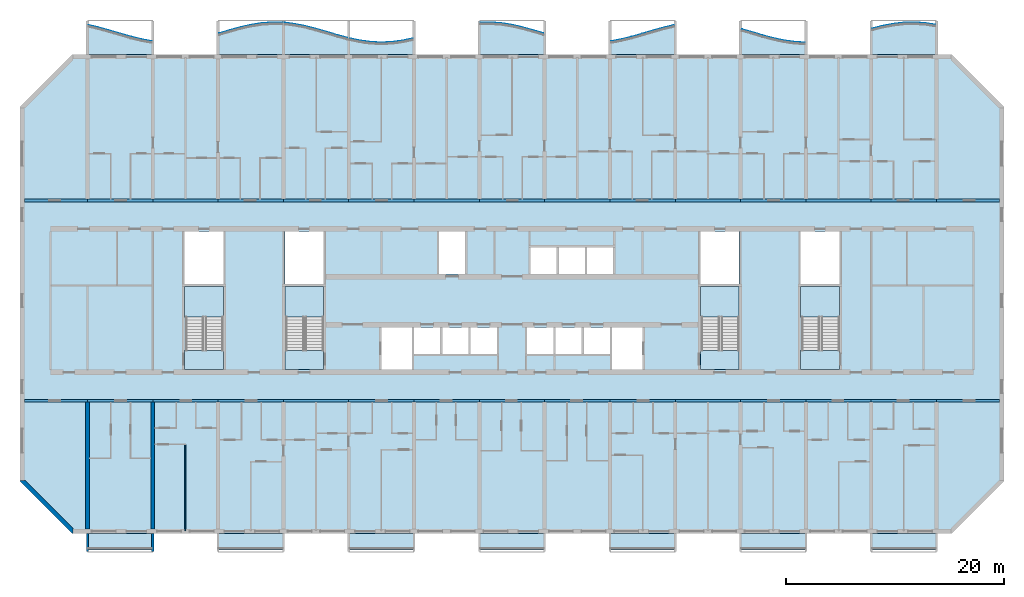
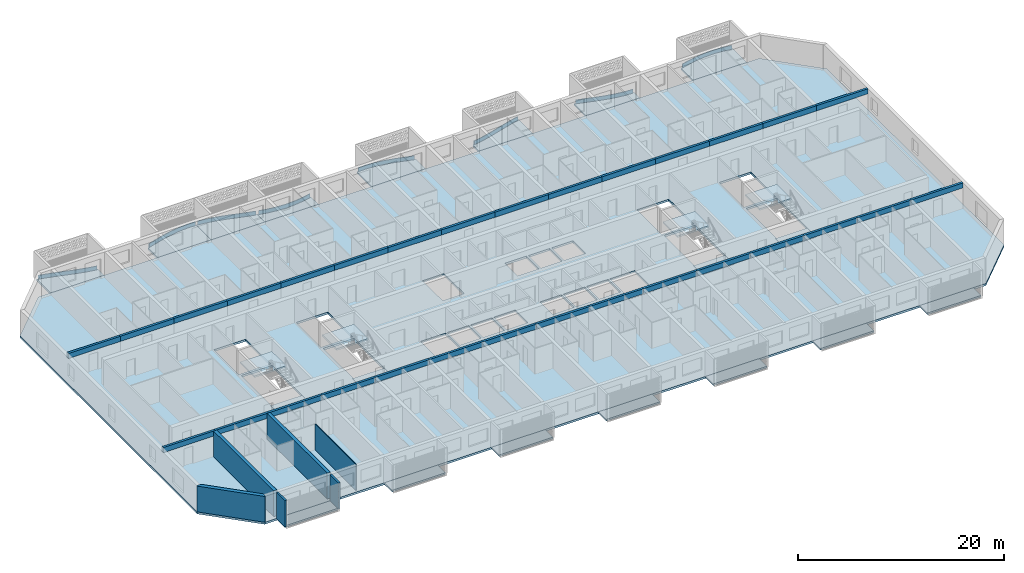
# One storey, part 1 of 31: 30 beams, 24 slabs, 8 plates, 6 walls, 4 elements without a shape of their own.
"""IFC4 building model written with IfcOpenShell, lengths in metres."""

from ifc_helpers import new_model, si_unit, direction, frame, frame_2d, origin, origin_2d, place, context, subcontext, project, spatial, polyline, rectangle, outline, extrude, source, transform, mapped, material, layer, layer_set, material_profile, profile_set, type_object, element, aggregate, save


model = new_model("IFC4")

# Units and contexts
model_context = context("Model", 3, precision=1e-05, world=origin(), true_north=direction((0.0, 1.0)))
body_context = subcontext(model_context, "Body", "Model", "MODEL_VIEW")
ifc_project = project(units=[si_unit("LENGTHUNIT", "METRE"), si_unit("AREAUNIT", "SQUARE_METRE"), si_unit("VOLUMEUNIT", "CUBIC_METRE"), si_unit("PLANEANGLEUNIT", "RADIAN"), si_unit("MASSUNIT", "GRAM", prefix="KILO")], contexts=[model_context])

# Site, building, storey
site_placement = place(None, origin())
site = spatial("IfcSite", under=ifc_project, at=site_placement, CompositionType="ELEMENT")
building_placement = place(site_placement, origin())
building = spatial("IfcBuilding", under=site, at=building_placement, Name="Poui Terraces", CompositionType="ELEMENT")
storey_placement = place(building_placement, frame((0.0, 0.0, 82.800048828125)))
storey = spatial("IfcBuildingStorey", under=building, at=storey_placement, Name="L22", CompositionType="ELEMENT", Elevation=82.800048828125)

# Beams
ifc_material_1 = material(Name="Concrete 65 MPa", Category="concrete")
ifc_material_profile = material_profile(ifc_material_1, rectangle(XDim=0.25, YDim=0.60009765625, at=origin_2d()), Name="RC 250x600")
ifc_profile_set = profile_set([ifc_material_profile], Name="Concrete 65 MPa")
beam_type = type_object("IfcBeamType", Name="COUPLING BEAM 250x600 65MPa", PredefinedType="BEAM", material=ifc_profile_set)
shared_shape_1 = source(origin(), body_context, "Body", "SweptSolid", [
    extrude(rectangle(XDim=0.25, YDim=0.60009765625, at=origin_2d()), origin(), (0.0, 0.0, 1.0), 5.800048828125),
])
for number, where, z_axis, x_axis, name in (
    (1, (6.199951171875, 12.0, 2.760009765625), (1.0, 0.0, 0.0), (0.0, 1.0, 0.0), "COUPLING BEAM LINE B BAY 1"),
    (2, (90.0, 12.0, 2.760009765625), (1.0, 0.0, 0.0), (0.0, 1.0, 0.0), "COUPLING BEAM LINE B BAY 15"),
    (3, (6.199951171875, 30.39990234375, 2.760009765625), (1.0, 0.0, 0.0), (0.0, 1.0, 0.0), "COUPLING BEAM LINE E BAY 1"),
    (4, (90.0, 30.39990234375, 2.760009765625), (1.0, 0.0, 0.0), (0.0, 1.0, 0.0), "COUPLING BEAM LINE E BAY 15"),
):
    element("IfcBeam", number, at=place(storey_placement, frame(where, z_axis=z_axis, x_axis=x_axis)), inside=storey, type_object=beam_type, Name=name, PredefinedType="BEAM", context=body_context, shape_type="MappedRepresentation", body=[
        mapped(shared_shape_1, transform((0.0, 0.0, 0.0))),
    ])
shared_shape_2 = source(origin(), body_context, "Body", "SweptSolid", [
    extrude(rectangle(XDim=0.25, YDim=0.60009765625, at=origin_2d()), origin(), (0.0, 0.0, 1.0), 6.0),
])
for number, where, z_axis, x_axis, name in (
    (5, (12.0, 12.0, 2.760009765625), (1.0, 0.0, 0.0), (0.0, 1.0, 0.0), "COUPLING BEAM LINE B BAY 2"),
    (6, (18.0, 12.0, 2.760009765625), (1.0, 0.0, 0.0), (0.0, 1.0, 0.0), "COUPLING BEAM LINE B BAY 3"),
    (7, (24.0, 12.0, 2.760009765625), (1.0, 0.0, 0.0), (0.0, 1.0, 0.0), "COUPLING BEAM LINE B BAY 4"),
    (8, (30.0, 12.0, 2.760009765625), (1.0, 0.0, 0.0), (0.0, 1.0, 0.0), "COUPLING BEAM LINE B BAY 5"),
    (9, (36.0, 12.0, 2.760009765625), (1.0, 0.0, 0.0), (0.0, 1.0, 0.0), "COUPLING BEAM LINE B BAY 6"),
    (10, (42.0, 12.0, 2.760009765625), (1.0, 0.0, 0.0), (0.0, 1.0, 0.0), "COUPLING BEAM LINE B BAY 7"),
    (11, (48.0, 12.0, 2.760009765625), (1.0, 0.0, 0.0), (0.0, 1.0, 0.0), "COUPLING BEAM LINE B BAY 8"),
    (12, (54.0, 12.0, 2.760009765625), (1.0, 0.0, 0.0), (0.0, 1.0, 0.0), "COUPLING BEAM LINE B BAY 9"),
    (13, (60.0, 12.0, 2.760009765625), (1.0, 0.0, 0.0), (0.0, 1.0, 0.0), "COUPLING BEAM LINE B BAY 10"),
    (14, (66.0, 12.0, 2.760009765625), (1.0, 0.0, 0.0), (0.0, 1.0, 0.0), "COUPLING BEAM LINE B BAY 11"),
    (15, (72.0, 12.0, 2.760009765625), (1.0, 0.0, 0.0), (0.0, 1.0, 0.0), "COUPLING BEAM LINE B BAY 12"),
    (16, (78.0, 12.0, 2.760009765625), (1.0, 0.0, 0.0), (0.0, 1.0, 0.0), "COUPLING BEAM LINE B BAY 13"),
    (17, (84.0, 12.0, 2.760009765625), (1.0, 0.0, 0.0), (0.0, 1.0, 0.0), "COUPLING BEAM LINE B BAY 14"),
    (18, (12.0, 30.39990234375, 2.760009765625), (1.0, 0.0, 0.0), (0.0, 1.0, 0.0), "COUPLING BEAM LINE E BAY 2"),
    (19, (18.0, 30.39990234375, 2.760009765625), (1.0, 0.0, 0.0), (0.0, 1.0, 0.0), "COUPLING BEAM LINE E BAY 3"),
    (20, (24.0, 30.39990234375, 2.760009765625), (1.0, 0.0, 0.0), (0.0, 1.0, 0.0), "COUPLING BEAM LINE E BAY 4"),
    (21, (30.0, 30.39990234375, 2.760009765625), (1.0, 0.0, 0.0), (0.0, 1.0, 0.0), "COUPLING BEAM LINE E BAY 5"),
    (22, (36.0, 30.39990234375, 2.760009765625), (1.0, 0.0, 0.0), (0.0, 1.0, 0.0), "COUPLING BEAM LINE E BAY 6"),
    (23, (42.0, 30.39990234375, 2.760009765625), (1.0, 0.0, 0.0), (0.0, 1.0, 0.0), "COUPLING BEAM LINE E BAY 7"),
    (24, (48.0, 30.39990234375, 2.760009765625), (1.0, 0.0, 0.0), (0.0, 1.0, 0.0), "COUPLING BEAM LINE E BAY 8"),
    (25, (54.0, 30.39990234375, 2.760009765625), (1.0, 0.0, 0.0), (0.0, 1.0, 0.0), "COUPLING BEAM LINE E BAY 9"),
    (26, (60.0, 30.39990234375, 2.760009765625), (1.0, 0.0, 0.0), (0.0, 1.0, 0.0), "COUPLING BEAM LINE E BAY 10"),
    (27, (66.0, 30.39990234375, 2.760009765625), (1.0, 0.0, 0.0), (0.0, 1.0, 0.0), "COUPLING BEAM LINE E BAY 11"),
    (28, (72.0, 30.39990234375, 2.760009765625), (1.0, 0.0, 0.0), (0.0, 1.0, 0.0), "COUPLING BEAM LINE E BAY 12"),
    (29, (78.0, 30.39990234375, 2.760009765625), (1.0, 0.0, 0.0), (0.0, 1.0, 0.0), "COUPLING BEAM LINE E BAY 13"),
    (30, (84.0, 30.39990234375, 2.760009765625), (1.0, 0.0, 0.0), (0.0, 1.0, 0.0), "COUPLING BEAM LINE E BAY 14"),
):
    element("IfcBeam", number, at=place(storey_placement, frame(where, z_axis=z_axis, x_axis=x_axis)), inside=storey, type_object=beam_type, Name=name, PredefinedType="BEAM", context=body_context, shape_type="MappedRepresentation", body=[
        mapped(shared_shape_2, transform((0.0, 0.0, 0.0))),
    ])

# Slabs
ifc_material_2 = material(Name="Precast concrete 40 MPa", Category="concrete")
ifc_layer_1 = layer(ifc_material_2, 0.199951171875)
ifc_layer_set_1 = layer_set([ifc_layer_1], Name="Precast concrete 40 MPa")
slab_type_1 = type_object("IfcSlabType", Name="BALCONY SLAB 200", PredefinedType="FLOOR", material=ifc_layer_set_1)
slab_1_placement = place(storey_placement, frame((0.0, 0.0, -0.2001953125)))
element("IfcSlab", 31, at=slab_1_placement, inside=storey, type_object=slab_type_1, Name="BALCONY SLAB", PredefinedType="FLOOR", context=body_context, shape_type="SweptSolid", body=[
    extrude(outline(polyline([(12.0, 43.800048828125), (18.0, 43.800048828125), (18.0, 45.006103515625), (17.0, 45.18408203125), (16.0, 45.428466796875), (15.0, 45.71337890625), (14.0, 46.010009765625), (13.0, 46.28759765625), (12.0, 46.517333984375), (12.0, 43.800048828125)])), origin(), (0.0, 0.0, 1.0), 0.2001953125),
])
slab_2_placement = place(storey_placement, frame((0.0, 0.0, -0.2001953125)))
element("IfcSlab", 32, at=slab_2_placement, inside=storey, type_object=slab_type_1, Name="BALCONY SLAB", PredefinedType="FLOOR", context=body_context, shape_type="SweptSolid", body=[
    extrude(outline(polyline([(24.0, 43.800048828125), (30.0, 43.800048828125), (30.0, 46.72314453125), (29.0, 46.7470703125), (28.0, 46.676025390625), (27.0, 46.517333984375), (26.0, 46.28759765625), (25.0, 46.010009765625), (24.0, 45.71337890625), (24.0, 43.800048828125)])), origin(), (0.0, 0.0, 1.0), 0.2001953125),
])
slab_3_placement = place(storey_placement, frame((0.0, 0.0, -0.2001953125)))
element("IfcSlab", 33, at=slab_3_placement, inside=storey, type_object=slab_type_1, Name="BALCONY SLAB", PredefinedType="FLOOR", context=body_context, shape_type="SweptSolid", body=[
    extrude(outline(polyline([(30.0, 43.800048828125), (36.0, 43.800048828125), (36.0, 45.299560546875), (35.0, 45.567626953125), (34.0, 45.8623046875), (33.0, 46.153076171875), (32.0, 46.409912109375), (31.0, 46.606689453125), (30.0, 46.72314453125), (30.0, 43.800048828125)])), origin(), (0.0, 0.0, 1.0), 0.2001953125),
])
slab_4_placement = place(storey_placement, frame((0.0, 0.0, -0.2001953125)))
element("IfcSlab", 34, at=slab_4_placement, inside=storey, type_object=slab_type_1, Name="BALCONY SLAB", PredefinedType="FLOOR", context=body_context, shape_type="SweptSolid", body=[
    extrude(outline(polyline([(36.0, 43.800048828125), (42.0, 43.800048828125), (42.0, 45.299560546875), (41.0, 45.08544921875), (40.0, 44.947509765625), (39.0, 44.89990234375), (38.0, 44.947509765625), (37.0, 45.08544921875), (36.0, 45.299560546875), (36.0, 43.800048828125)])), origin(), (0.0, 0.0, 1.0), 0.2001953125),
])
slab_5_placement = place(storey_placement, frame((0.0, 0.0, -0.2001953125)))
element("IfcSlab", 35, at=slab_5_placement, inside=storey, type_object=slab_type_1, Name="BALCONY SLAB", PredefinedType="FLOOR", context=body_context, shape_type="SweptSolid", body=[
    extrude(outline(polyline([(48.0, 43.800048828125), (54.0, 43.800048828125), (54.0, 45.71337890625), (53.0, 46.010009765625), (52.0, 46.28759765625), (51.0, 46.517333984375), (50.0, 46.676025390625), (49.0, 46.7470703125), (48.0, 46.72314453125), (48.0, 43.800048828125)])), origin(), (0.0, 0.0, 1.0), 0.2001953125),
])
slab_6_placement = place(storey_placement, frame((0.0, 0.0, -0.2001953125)))
element("IfcSlab", 36, at=slab_6_placement, inside=storey, type_object=slab_type_1, Name="BALCONY SLAB", PredefinedType="FLOOR", context=body_context, shape_type="SweptSolid", body=[
    extrude(outline(polyline([(60.0, 43.800048828125), (66.0, 43.800048828125), (66.0, 46.517333984375), (65.0, 46.28759765625), (64.0, 46.010009765625), (63.0, 45.71337890625), (62.0, 45.428466796875), (61.0, 45.18408203125), (60.0, 45.006103515625), (60.0, 43.800048828125)])), origin(), (0.0, 0.0, 1.0), 0.2001953125),
])
slab_7_placement = place(storey_placement, frame((0.0, 0.0, -0.2001953125)))
element("IfcSlab", 37, at=slab_7_placement, inside=storey, type_object=slab_type_1, Name="BALCONY SLAB", PredefinedType="FLOOR", context=body_context, shape_type="SweptSolid", body=[
    extrude(outline(polyline([(72.0, 43.800048828125), (78.0, 43.800048828125), (78.0, 44.89990234375), (77.0, 44.947509765625), (76.0, 45.08544921875), (75.0, 45.299560546875), (74.0, 45.567626953125), (73.0, 45.8623046875), (72.0, 46.153076171875), (72.0, 43.800048828125)])), origin(), (0.0, 0.0, 1.0), 0.2001953125),
])
slab_8_placement = place(storey_placement, frame((0.0, 0.0, -0.2001953125)))
element("IfcSlab", 38, at=slab_8_placement, inside=storey, type_object=slab_type_1, Name="BALCONY SLAB", PredefinedType="FLOOR", context=body_context, shape_type="SweptSolid", body=[
    extrude(outline(polyline([(84.0, 43.800048828125), (90.0, 43.800048828125), (90.0, 46.517333984375), (89.0, 46.676025390625), (88.0, 46.7470703125), (87.0, 46.72314453125), (86.0, 46.606689453125), (85.0, 46.409912109375), (84.0, 46.153076171875), (84.0, 43.800048828125)])), origin(), (0.0, 0.0, 1.0), 0.2001953125),
])

# Stair, slabs
stair_type = type_object("IfcStairType", Name="EXIT STAIR 1650 65 MPA", PredefinedType="HALF_TURN_STAIR", material=ifc_material_1)
stair_1_placement = place(storey_placement, origin())
stair_1 = element("IfcStair", 39, at=stair_1_placement, inside=storey, type_object=stair_type, Name="L22 CORE STAIR EAST", PredefinedType="HALF_TURN_STAIR")
ifc_layer_2 = layer(ifc_material_1, 0.199951171875)
ifc_layer_set_2 = layer_set([ifc_layer_2], Name="Concrete 65 MPa")
slab_type_2 = type_object("IfcSlabType", Name="STAIR LANDING 200 65 MPA", PredefinedType="LANDING", material=ifc_layer_set_2)
slab_9_placement = place(storey_placement, frame((0.0, 0.0, 1.449951171875)))
slab_9 = element("IfcSlab", 40, at=slab_9_placement, type_object=slab_type_2, Name="ST-CE landing 1", PredefinedType="LANDING", context=body_context, shape_type="SweptSolid", body=[
    extrude(outline(polyline([(68.324951171875, 19.679931640625), (71.875, 19.679931640625), (71.875, 22.47509765625), (68.324951171875, 22.47509765625), (68.324951171875, 19.679931640625)])), origin(), (0.0, 0.0, 1.0), 0.199951171875),
])
slab_10_placement = place(storey_placement, frame((0.0, 0.0, -0.2001953125)))
slab_10 = element("IfcSlab", 41, at=slab_10_placement, type_object=slab_type_2, Name="ST-CE landing 2", PredefinedType="LANDING", context=body_context, shape_type="SweptSolid", body=[
    extrude(outline(polyline([(68.324951171875, 14.85009765625), (71.875, 14.85009765625), (71.875, 16.60009765625), (68.324951171875, 16.60009765625), (68.324951171875, 14.85009765625)])), origin(), (0.0, 0.0, 1.0), 0.2001953125),
])
aggregate(stair_1, [slab_9, slab_10])

stair_2_placement = place(storey_placement, origin())
stair_2 = element("IfcStair", 42, at=stair_2_placement, inside=storey, type_object=stair_type, Name="L22 CORE STAIR WEST", PredefinedType="HALF_TURN_STAIR")
slab_11_placement = place(storey_placement, frame((0.0, 0.0, 1.449951171875)))
slab_11 = element("IfcSlab", 43, at=slab_11_placement, type_object=slab_type_2, Name="ST-CW landing 1", PredefinedType="LANDING", context=body_context, shape_type="SweptSolid", body=[
    extrude(outline(polyline([(30.125, 19.679931640625), (33.675048828125, 19.679931640625), (33.675048828125, 22.47509765625), (30.125, 22.47509765625), (30.125, 19.679931640625)])), origin(), (0.0, 0.0, 1.0), 0.199951171875),
])
slab_12_placement = place(storey_placement, frame((0.0, 0.0, -0.2001953125)))
slab_12 = element("IfcSlab", 44, at=slab_12_placement, type_object=slab_type_2, Name="ST-CW landing 2", PredefinedType="LANDING", context=body_context, shape_type="SweptSolid", body=[
    extrude(outline(polyline([(30.125, 14.85009765625), (33.675048828125, 14.85009765625), (33.675048828125, 16.60009765625), (30.125, 16.60009765625), (30.125, 14.85009765625)])), origin(), (0.0, 0.0, 1.0), 0.2001953125),
])
aggregate(stair_2, [slab_11, slab_12])

stair_3_placement = place(storey_placement, origin())
stair_3 = element("IfcStair", 45, at=stair_3_placement, inside=storey, type_object=stair_type, Name="L22 TIP STAIR EAST", PredefinedType="HALF_TURN_STAIR")
slab_13_placement = place(storey_placement, frame((0.0, 0.0, 1.449951171875)))
slab_13 = element("IfcSlab", 46, at=slab_13_placement, type_object=slab_type_2, Name="ST-E landing 1", PredefinedType="LANDING", context=body_context, shape_type="SweptSolid", body=[
    extrude(outline(polyline([(77.52490234375, 19.679931640625), (81.074951171875, 19.679931640625), (81.074951171875, 22.47509765625), (77.52490234375, 22.47509765625), (77.52490234375, 19.679931640625)])), origin(), (0.0, 0.0, 1.0), 0.199951171875),
])
slab_14_placement = place(storey_placement, frame((0.0, 0.0, -0.2001953125)))
slab_14 = element("IfcSlab", 47, at=slab_14_placement, type_object=slab_type_2, Name="ST-E landing 2", PredefinedType="LANDING", context=body_context, shape_type="SweptSolid", body=[
    extrude(outline(polyline([(77.52490234375, 14.85009765625), (81.074951171875, 14.85009765625), (81.074951171875, 16.60009765625), (77.52490234375, 16.60009765625), (77.52490234375, 14.85009765625)])), origin(), (0.0, 0.0, 1.0), 0.2001953125),
])
aggregate(stair_3, [slab_13, slab_14])

stair_4_placement = place(storey_placement, origin())
stair_4 = element("IfcStair", 48, at=stair_4_placement, inside=storey, type_object=stair_type, Name="L22 TIP STAIR WEST", PredefinedType="HALF_TURN_STAIR")
slab_15_placement = place(storey_placement, frame((0.0, 0.0, 1.449951171875)))
slab_15 = element("IfcSlab", 49, at=slab_15_placement, type_object=slab_type_2, Name="ST-W landing 1", PredefinedType="LANDING", context=body_context, shape_type="SweptSolid", body=[
    extrude(outline(polyline([(20.925048828125, 19.679931640625), (24.47509765625, 19.679931640625), (24.47509765625, 22.47509765625), (20.925048828125, 22.47509765625), (20.925048828125, 19.679931640625)])), origin(), (0.0, 0.0, 1.0), 0.199951171875),
])
slab_16_placement = place(storey_placement, frame((0.0, 0.0, -0.2001953125)))
slab_16 = element("IfcSlab", 50, at=slab_16_placement, type_object=slab_type_2, Name="ST-W landing 2", PredefinedType="LANDING", context=body_context, shape_type="SweptSolid", body=[
    extrude(outline(polyline([(20.925048828125, 14.85009765625), (24.47509765625, 14.85009765625), (24.47509765625, 16.60009765625), (20.925048828125, 16.60009765625), (20.925048828125, 14.85009765625)])), origin(), (0.0, 0.0, 1.0), 0.2001953125),
])
aggregate(stair_4, [slab_15, slab_16])

# Plates
ifc_layer_3 = layer(ifc_material_2, 0.080078125)
ifc_layer_set_3 = layer_set([ifc_layer_3], Name="Precast concrete 40 MPa")
plate_type = type_object("IfcPlateType", Name="SUNSHADE UPSTAND 80", PredefinedType="SHEET", material=ifc_layer_set_3)
plate_1_placement = place(storey_placement, origin())
element("IfcPlate", 51, at=plate_1_placement, inside=storey, type_object=plate_type, Name="SUNSHADE UPSTAND", PredefinedType="SHEET", context=body_context, shape_type="SweptSolid", body=[
    extrude(outline(polyline([(13.010009765625, 46.28125), (12.134033203125, 46.486083984375), (12.115966796875, 46.408203125), (12.989990234375, 46.20361328125), (13.989013671875, 45.926513671875), (14.98876953125, 45.630126953125), (15.98974609375, 45.3447265625), (16.99169921875, 45.10009765625), (17.867919921875, 44.939697265625), (17.882080078125, 45.018310546875), (17.00830078125, 45.178466796875), (16.01025390625, 45.422119140625), (15.01123046875, 45.706787109375), (14.010986328125, 46.00341796875), (13.010009765625, 46.28125)])), origin(), (0.0, 0.0, 1.0), 0.449951171875),
])
plate_2_placement = place(storey_placement, origin())
element("IfcPlate", 52, at=plate_2_placement, inside=storey, type_object=plate_type, Name="SUNSHADE UPSTAND", PredefinedType="SHEET", context=body_context, shape_type="SweptSolid", body=[
    extrude(outline(polyline([(24.989013671875, 46.00341796875), (24.113525390625, 45.743896484375), (24.136474609375, 45.667236328125), (25.010986328125, 45.926513671875), (26.009765625, 46.20361328125), (27.007568359375, 46.43310546875), (28.004638671875, 46.59130859375), (29.001220703125, 46.662109375), (29.874267578125, 46.646240234375), (29.875732421875, 46.72607421875), (29.840087890625, 46.726806640625), (28.998779296875, 46.741943359375), (27.995361328125, 46.6708984375), (26.992431640625, 46.51171875), (25.990234375, 46.28125), (24.989013671875, 46.00341796875)])), origin(), (0.0, 0.0, 1.0), 0.449951171875),
])
plate_3_placement = place(storey_placement, origin())
element("IfcPlate", 53, at=plate_3_placement, inside=storey, type_object=plate_type, Name="SUNSHADE UPSTAND", PredefinedType="SHEET", context=body_context, shape_type="SweptSolid", body=[
    extrude(outline(polyline([(31.00634765625, 46.601318359375), (30.15966796875, 46.70458984375), (30.1298828125, 46.7080078125), (30.1201171875, 46.62890625), (30.99365234375, 46.522216796875), (31.9912109375, 46.325927734375), (32.989501953125, 46.0693359375), (33.98876953125, 45.77880859375), (34.989013671875, 45.484130859375), (35.864501953125, 45.2470703125), (35.885498046875, 45.32421875), (35.010986328125, 45.56103515625), (34.01123046875, 45.855712890625), (33.010498046875, 46.146484375), (32.0087890625, 46.404052734375), (31.00634765625, 46.601318359375)])), origin(), (0.0, 0.0, 1.0), 0.449951171875),
])
plate_4_placement = place(storey_placement, origin())
element("IfcPlate", 54, at=plate_4_placement, inside=storey, type_object=plate_type, Name="SUNSHADE UPSTAND", PredefinedType="SHEET", context=body_context, shape_type="SweptSolid", body=[
    extrude(outline(polyline([(37.0068359375, 45.079833984375), (36.13330078125, 45.263427734375), (36.11669921875, 45.185302734375), (36.9931640625, 45.001220703125), (37.996337890625, 44.86279296875), (39.0, 44.81494140625), (40.003662109375, 44.86279296875), (41.0068359375, 45.001220703125), (41.88330078125, 45.185302734375), (41.86669921875, 45.263427734375), (40.9931640625, 45.079833984375), (39.996337890625, 44.9423828125), (39.0, 44.89501953125), (38.003662109375, 44.9423828125), (37.0068359375, 45.079833984375)])), origin(), (0.0, 0.0, 1.0), 0.449951171875),
])
plate_5_placement = place(storey_placement, origin())
element("IfcPlate", 55, at=plate_5_placement, inside=storey, type_object=plate_type, Name="SUNSHADE UPSTAND", PredefinedType="SHEET", context=body_context, shape_type="SweptSolid", body=[
    extrude(outline(polyline([(49.001220703125, 46.741943359375), (48.159912109375, 46.726806640625), (48.124267578125, 46.72607421875), (48.125732421875, 46.646240234375), (48.998779296875, 46.662109375), (49.995361328125, 46.59130859375), (50.992431640625, 46.43310546875), (51.990234375, 46.20361328125), (52.989013671875, 45.926513671875), (53.863525390625, 45.667236328125), (53.886474609375, 45.743896484375), (53.010986328125, 46.00341796875), (52.009765625, 46.28125), (51.007568359375, 46.51171875), (50.004638671875, 46.6708984375), (49.001220703125, 46.741943359375)])), origin(), (0.0, 0.0, 1.0), 0.449951171875),
])
plate_6_placement = place(storey_placement, origin())
element("IfcPlate", 56, at=plate_6_placement, inside=storey, type_object=plate_type, Name="SUNSHADE UPSTAND", PredefinedType="SHEET", context=body_context, shape_type="SweptSolid", body=[
    extrude(outline(polyline([(60.99169921875, 45.178466796875), (60.117919921875, 45.018310546875), (60.132080078125, 44.939697265625), (61.00830078125, 45.10009765625), (62.01025390625, 45.3447265625), (63.01123046875, 45.630126953125), (64.010986328125, 45.926513671875), (65.010009765625, 46.20361328125), (65.884033203125, 46.408203125), (65.865966796875, 46.486083984375), (64.989990234375, 46.28125), (63.989013671875, 46.00341796875), (62.98876953125, 45.706787109375), (61.98974609375, 45.422119140625), (60.99169921875, 45.178466796875)])), origin(), (0.0, 0.0, 1.0), 0.449951171875),
])
plate_7_placement = place(storey_placement, origin())
element("IfcPlate", 57, at=plate_7_placement, inside=storey, type_object=plate_type, Name="SUNSHADE UPSTAND", PredefinedType="SHEET", context=body_context, shape_type="SweptSolid", body=[
    extrude(outline(polyline([(73.01123046875, 45.855712890625), (72.13623046875, 46.111328125), (72.11376953125, 46.034423828125), (72.98876953125, 45.77880859375), (73.9892578125, 45.484130859375), (74.990478515625, 45.215576171875), (75.9931640625, 45.001220703125), (76.99609375, 44.86279296875), (77.872802734375, 44.81591796875), (77.877197265625, 44.895751953125), (77.00390625, 44.9423828125), (76.0068359375, 45.079833984375), (75.009521484375, 45.29345703125), (74.0107421875, 45.561279296875), (73.01123046875, 45.855712890625)])), origin(), (0.0, 0.0, 1.0), 0.449951171875),
])
plate_8_placement = place(storey_placement, origin())
element("IfcPlate", 58, at=plate_8_placement, inside=storey, type_object=plate_type, Name="SUNSHADE UPSTAND", PredefinedType="SHEET", context=body_context, shape_type="SweptSolid", body=[
    extrude(outline(polyline([(84.9912109375, 46.404052734375), (84.114990234375, 46.181396484375), (84.135009765625, 46.103759765625), (85.0087890625, 46.325927734375), (86.006103515625, 46.522216796875), (87.002685546875, 46.63818359375), (87.9990234375, 46.662109375), (88.99560546875, 46.59130859375), (89.868896484375, 46.45703125), (89.881103515625, 46.535888671875), (89.00439453125, 46.6708984375), (88.0009765625, 46.741943359375), (86.997314453125, 46.718017578125), (85.993896484375, 46.601318359375), (84.9912109375, 46.404052734375)])), origin(), (0.0, 0.0, 1.0), 0.449951171875),
])

# Slabs
ifc_material_3 = material(Name="Concrete 40 MPa", Category="concrete")
ifc_layer_4 = layer(ifc_material_3, 0.239990234375)
ifc_layer_set_4 = layer_set([ifc_layer_4], Name="Concrete 40 MPa")
slab_type_3 = type_object("IfcSlabType", Name="FLOOR SLAB 240", PredefinedType="FLOOR", material=ifc_layer_set_4)
shared_shape_3 = source(origin(), body_context, "Body", "SweptSolid", [
    extrude(outline(polyline([(0.0, 0.0), (4.800048828125, -4.800048828125), (85.599853515625, -4.800048828125), (90.39990234375, 0.0), (90.39990234375, 34.39990234375), (85.599853515625, 39.199951171875), (4.800048828125, 39.199951171875), (0.0, 34.39990234375), (0.0, 0.0)]), holes=[polyline([(33.199951171875, 10.25), (33.199951171875, 14.14990234375), (36.0, 14.14990234375), (36.0, 10.25), (33.199951171875, 10.25)]), polyline([(36.199951171875, 11.699951171875), (36.199951171875, 14.14990234375), (38.599853515625, 14.14990234375), (38.599853515625, 11.699951171875), (36.199951171875, 11.699951171875)]), polyline([(38.800048828125, 11.699951171875), (38.800048828125, 14.14990234375), (41.199951171875, 14.14990234375), (41.199951171875, 11.699951171875), (38.800048828125, 11.699951171875)]), polyline([(41.39990234375, 14.14990234375), (43.800048828125, 14.14990234375), (43.800048828125, 11.699951171875), (41.39990234375, 11.699951171875), (41.39990234375, 14.14990234375)]), polyline([(46.599853515625, 14.14990234375), (49.0, 14.14990234375), (49.0, 11.699951171875), (46.599853515625, 11.699951171875), (46.599853515625, 14.14990234375)]), polyline([(15.224853515625, 17.849853515625), (18.675048828125, 17.849853515625), (18.675048828125, 12.0), (18.675048828125, 10.25), (15.125, 10.25), (15.125, 12.0), (15.224853515625, 12.0), (15.224853515625, 17.849853515625)]), polyline([(24.425048828125, 17.849853515625), (27.875, 17.849853515625), (27.875, 12.0), (27.875, 10.25), (24.324951171875, 10.25), (24.324951171875, 12.0), (24.425048828125, 12.0), (24.425048828125, 17.849853515625)]), polyline([(15.125, 18.125), (15.125, 22.949951171875), (18.675048828125, 22.949951171875), (18.675048828125, 18.125), (15.125, 18.125)]), polyline([(24.324951171875, 22.949951171875), (27.875, 22.949951171875), (27.875, 18.125), (24.324951171875, 18.125), (24.324951171875, 22.949951171875)]), polyline([(38.5, 22.949951171875), (40.89990234375, 22.949951171875), (40.89990234375, 19.0498046875), (38.5, 19.0498046875), (38.5, 22.949951171875)]), polyline([(54.39990234375, 10.25), (54.39990234375, 14.14990234375), (57.199951171875, 14.14990234375), (57.199951171875, 10.25), (54.39990234375, 10.25)]), polyline([(49.199951171875, 11.699951171875), (49.199951171875, 14.14990234375), (51.599853515625, 14.14990234375), (51.599853515625, 11.699951171875), (49.199951171875, 11.699951171875)]), polyline([(51.800048828125, 11.699951171875), (51.800048828125, 14.14990234375), (54.199951171875, 14.14990234375), (54.199951171875, 11.699951171875), (51.800048828125, 11.699951171875)]), polyline([(66.074951171875, 17.849853515625), (66.074951171875, 12.0), (66.074951171875, 10.25), (62.52490234375, 10.25), (62.52490234375, 12.0), (62.625, 12.0), (62.625, 17.849853515625), (66.074951171875, 17.849853515625)]), polyline([(75.27490234375, 17.849853515625), (75.27490234375, 12.0), (75.27490234375, 10.25), (71.724853515625, 10.25), (71.724853515625, 12.0), (71.824951171875, 12.0), (71.824951171875, 17.849853515625), (75.27490234375, 17.849853515625)]), polyline([(46.89990234375, 19.0498046875), (46.89990234375, 21.5), (49.300048828125, 21.5), (49.300048828125, 19.0498046875), (46.89990234375, 19.0498046875)]), polyline([(49.5, 19.0498046875), (49.5, 21.5), (51.89990234375, 21.5), (51.89990234375, 19.0498046875), (49.5, 19.0498046875)]), polyline([(52.099853515625, 19.0498046875), (52.099853515625, 21.5), (54.5, 21.5), (54.5, 19.0498046875), (52.099853515625, 19.0498046875)]), polyline([(62.52490234375, 22.949951171875), (66.074951171875, 22.949951171875), (66.074951171875, 18.125), (62.52490234375, 18.125), (62.52490234375, 22.949951171875)]), polyline([(71.724853515625, 22.949951171875), (75.27490234375, 22.949951171875), (75.27490234375, 18.125), (71.724853515625, 18.125), (71.724853515625, 22.949951171875)])]), origin(), (0.0, 0.0, 1.0), 0.240234375),
])
slab_17_placement = place(storey_placement, frame((5.800048828125, 4.60009765625, -0.240234375)))
element("IfcSlab", 59, at=slab_17_placement, inside=storey, type_object=slab_type_3, Name="FLOOR SLAB", PredefinedType="FLOOR", context=body_context, shape_type="MappedRepresentation", body=[
    mapped(shared_shape_3, transform((0.0, 0.0, 0.0))),
])
ifc_layer_5 = layer(ifc_material_2, 0.199951171875)
ifc_layer_set_5 = layer_set([ifc_layer_5], Name="Precast concrete 40 MPa")
slab_type_4 = type_object("IfcSlabType", Name="REAR BALCONY SLAB 200", PredefinedType="FLOOR", material=ifc_layer_set_5)
shared_shape_4 = source(origin(), body_context, "Body", "SweptSolid", [
    extrude(outline(polyline([(0.0, 0.0), (6.0, 0.0), (6.0, 1.5), (0.0, 1.5), (0.0, 0.0)])), origin(), (0.0, 0.0, 1.0), 0.2001953125),
])
for number, where, name in (
    (60, (12.0, -1.699951171875, -0.2001953125), "REAR BALCONY SLAB"),
    (61, (24.0, -1.699951171875, -0.2001953125), "REAR BALCONY SLAB"),
    (62, (36.0, -1.699951171875, -0.2001953125), "REAR BALCONY SLAB"),
    (63, (48.0, -1.699951171875, -0.2001953125), "REAR BALCONY SLAB"),
    (64, (60.0, -1.699951171875, -0.2001953125), "REAR BALCONY SLAB"),
    (65, (72.0, -1.699951171875, -0.2001953125), "REAR BALCONY SLAB"),
    (66, (84.0, -1.699951171875, -0.2001953125), "REAR BALCONY SLAB"),
):
    element("IfcSlab", number, at=place(storey_placement, frame(where)), inside=storey, type_object=slab_type_4, Name=name, PredefinedType="FLOOR", context=body_context, shape_type="MappedRepresentation", body=[
        mapped(shared_shape_4, transform((0.0, 0.0, 0.0))),
    ])

# Walls
ifc_layer_6 = layer(ifc_material_1, 0.35009765625)
ifc_layer_set_6 = layer_set([ifc_layer_6], Name="Concrete 65 MPa")
wall_type_1 = type_object("IfcWallType", Name="CROSS WALL 350 65MPa", PredefinedType="SHEAR", material=ifc_layer_set_6)
for number, where, z_axis, x_axis, name in (
    (67, (12.0, 0.199951171875, 0.0), (0.0, 0.0, 1.0), (0.0, 1.0, 0.0), "CROSS WALL LINE 3 SOUTH"),
    (68, (18.0, 0.199951171875, 0.0), (0.0, 0.0, 1.0), (0.0, 1.0, 0.0), "CROSS WALL LINE 4 SOUTH"),
):
    element("IfcWall", number, at=place(storey_placement, frame(where, z_axis=z_axis, x_axis=x_axis)), inside=storey, type_object=wall_type_1, Name=name, PredefinedType="SHEAR", context=body_context, shape_type="SweptSolid", body=[
        extrude(rectangle(XDim=11.675048828125, YDim=0.35009765625, at=frame_2d((5.83740234375, 0.0))), origin(), (0.0, 0.0, 1.0), 3.06005859375),
    ])
ifc_material_4 = material(Name="Plasterboard partition")
ifc_layer_7 = layer(ifc_material_4, 0.10009765625)
ifc_layer_set_7 = layer_set([ifc_layer_7], Name="Plasterboard partition")
wall_type_2 = type_object("IfcWallType", Name="FLAT PARTITION 100", PredefinedType="PARTITIONING", material=ifc_layer_set_7)
wall_1_placement = place(storey_placement, frame((21.0, 0.06005859375, 0.0), z_axis=(0.0, 0.0, 1.0), x_axis=(0.0, 1.0, 0.0)))
element("IfcWall", 69, at=wall_1_placement, inside=storey, type_object=wall_type_2, Name="FLAT PARTITION 100", PredefinedType="PARTITIONING", context=body_context, shape_type="SweptSolid", body=[
    extrude(rectangle(XDim=7.889892578125, YDim=0.10009765625, at=frame_2d((3.94482421875, 0.0))), origin(), (0.0, 0.0, 1.0), 3.06005859375),
])
ifc_layer_8 = layer(ifc_material_2, 0.39990234375)
ifc_layer_set_8 = layer_set([ifc_layer_8], Name="Precast concrete 40 MPa")
wall_type_3 = type_object("IfcWallType", Name="TERRACOTTA CLAD CHAMFER WALL 400", PredefinedType="STANDARD", material=ifc_layer_set_8)
wall_2_placement = place(storey_placement, origin())
element("IfcWall", 70, at=wall_2_placement, inside=storey, type_object=wall_type_3, Name="CHAMFER WALL CH07", PredefinedType="STANDARD", context=body_context, shape_type="SweptSolid", body=[
    extrude(outline(polyline([(5.800048828125, 4.682861328125), (5.800048828125, 4.60009765625), (10.60009765625, -0.199951171875), (10.682861328125, -0.199951171875), (10.682861328125, 0.28271484375), (6.28271484375, 4.682861328125), (5.800048828125, 4.682861328125)])), origin(), (0.0, 0.0, 1.0), 3.06005859375),
])
ifc_layer_9 = layer(ifc_material_2, 0.199951171875)
ifc_layer_set_9 = layer_set([ifc_layer_9], Name="Precast concrete 40 MPa")
wall_type_4 = type_object("IfcWallType", Name="REAR FIN 200", PredefinedType="STANDARD", material=ifc_layer_set_9)
shared_shape_5 = source(origin(), body_context, "Body", "SweptSolid", [
    extrude(outline(polyline([(0.0, 0.0), (0.2001953125, 0.0), (0.2001953125, 1.650146484375), (0.0, 1.650146484375), (0.0, 0.0)])), origin(), (0.0, 0.0, 1.0), 3.099853515625),
])
for number, where, name in (
    (71, (11.89990234375, -1.85009765625, 0.0), "REAR FIN"),
    (72, (17.89990234375, -1.85009765625, 0.0), "REAR FIN"),
):
    element("IfcWall", number, at=place(storey_placement, frame(where)), inside=storey, type_object=wall_type_4, Name=name, PredefinedType="STANDARD", context=body_context, shape_type="MappedRepresentation", body=[
        mapped(shared_shape_5, transform((0.0, 0.0, 0.0))),
    ])

save(model, "model.ifc")
